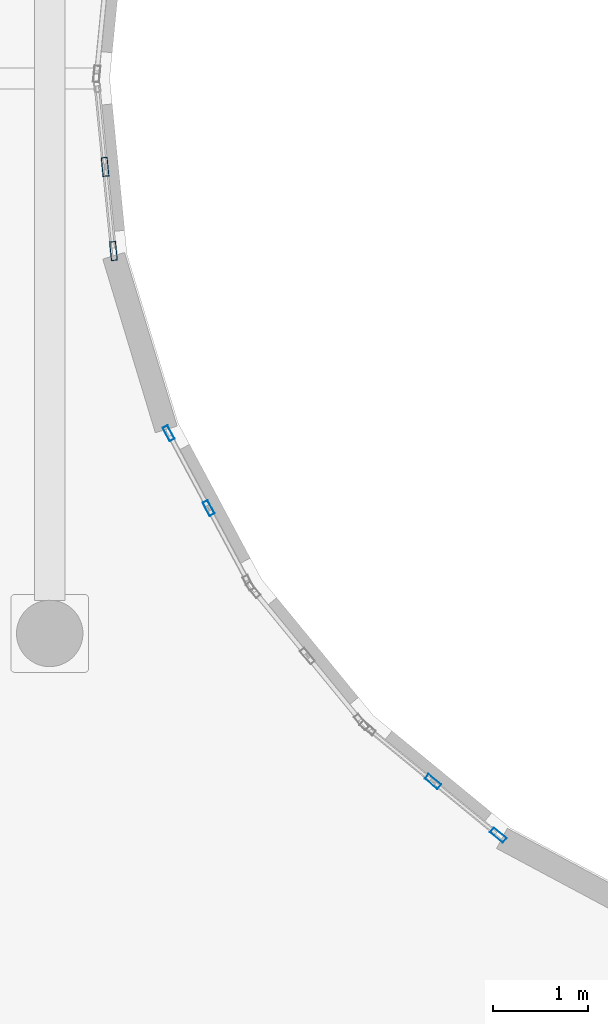
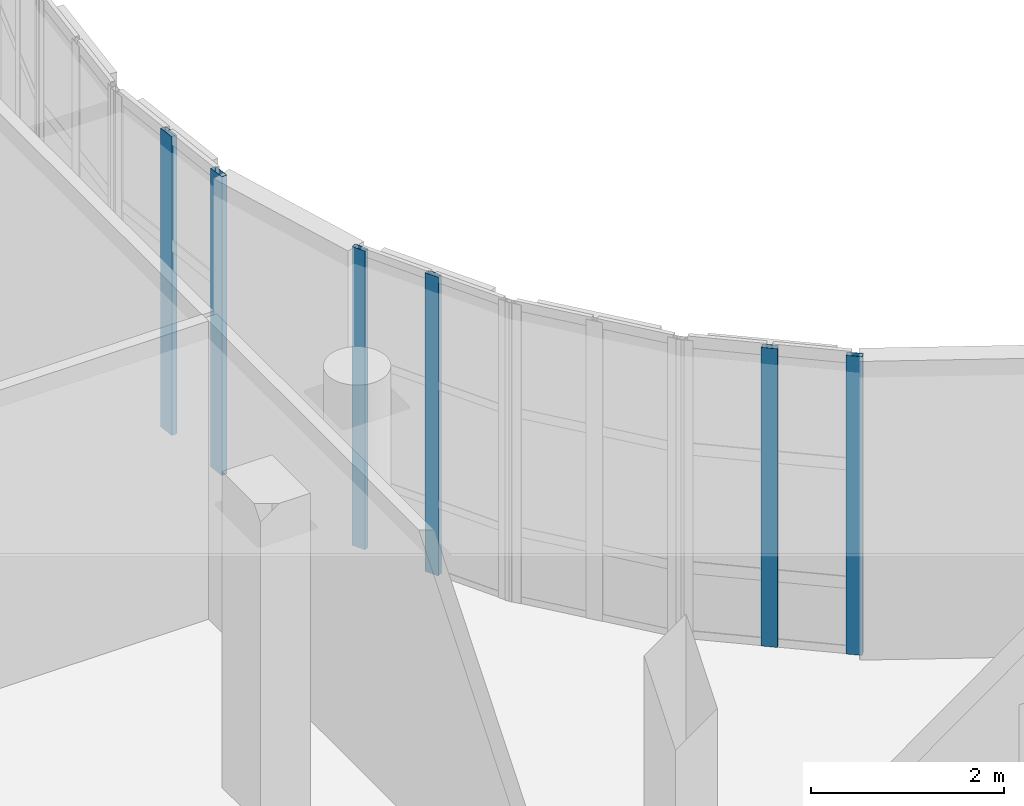
# One storey, part 34 of 105: 6 members, 3 elements without a shape of their own.
"""IFC4 building model written with IfcOpenShell, lengths in metres."""

from ifc_helpers import new_model, si_unit, direction, frame, origin, origin_2d, place, context, subcontext, project, spatial, hollow_rectangle, extrude, material, layer, layer_set, material_profile, profile_set, type_object, element, aggregate, save


model = new_model("IFC4")

# Units and contexts
model_context = context("Model", 3, precision=1e-05, world=origin(), true_north=direction((0.0, 1.0)))
body_context = subcontext(model_context, "Body", "Model", "MODEL_VIEW")
ifc_project = project(units=[si_unit("LENGTHUNIT", "METRE"), si_unit("AREAUNIT", "SQUARE_METRE"), si_unit("VOLUMEUNIT", "CUBIC_METRE"), si_unit("PLANEANGLEUNIT", "RADIAN"), si_unit("MASSUNIT", "GRAM", prefix="KILO")], contexts=[model_context])

# Site, building, storey
site_placement = place(None, origin())
site = spatial("IfcSite", under=ifc_project, at=site_placement, CompositionType="ELEMENT")
building_placement = place(site_placement, origin())
building = spatial("IfcBuilding", under=site, at=building_placement, Name="Kelanivale Promenade Academy", CompositionType="ELEMENT")
storey_placement = place(building_placement, frame((0.0, 0.0, 4.199951171875)))
storey = spatial("IfcBuildingStorey", under=building, at=storey_placement, Name="L01", CompositionType="ELEMENT", Elevation=4.199951171875)

# Curtain wall, members
ifc_material_1 = material(Name="Bronze anodised aluminium and solar-control low-E glass", Category="aluminium")
ifc_layer_1 = layer(ifc_material_1, 0.179931640625)
ifc_layer_set_1 = layer_set([ifc_layer_1], Name="Bronze anodised aluminium and solar-control low-E glass")
curtain_wall_type_1 = type_object("IfcCurtainWallType", Name="CW-17 Curtain Wall 1950mm Module", PredefinedType="USERDEFINED", material=ifc_layer_set_1)
curtain_wall_1_placement = place(storey_placement, origin())
curtain_wall_1 = element("IfcCurtainWall", 1, at=curtain_wall_1_placement, inside=storey, type_object=curtain_wall_type_1, Name="L01 courtyard curtain wall CW-17", ObjectType="COURTYARD SCREEN GLAZING", PredefinedType="USERDEFINED")
ifc_material_2 = material(Name="Bronze anodised aluminium EN AW-6063 T6", Category="aluminium")
ifc_material_profile_1 = material_profile(ifc_material_2, hollow_rectangle(XDim=0.06005859375, YDim=0.159912109375, WallThickness=0.00390625, at=origin_2d()), Name="ALU 60x160x4.0")
ifc_profile_set_1 = profile_set([ifc_material_profile_1], Name="Bronze anodised aluminium EN AW-6063 T6")
member_type_1 = type_object("IfcMemberType", Name="CWM-01 ALU 60x160x4.0", PredefinedType="MULLION", material=ifc_profile_set_1)
member_1_placement = place(storey_placement, frame((89.921142578125, 53.0595703125, 0.0), z_axis=(0.0, 0.0, 1.0), x_axis=(0.881978204448, 0.471290193914, 0.0)))
member_1 = element("IfcMember", 2, at=member_1_placement, type_object=member_type_1, Name="CW-17 mullion 1", PredefinedType="MULLION", context=body_context, shape_type="SweptSolid", body=[
    extrude(hollow_rectangle(XDim=0.06005859375, YDim=0.159912109375, WallThickness=0.00390625, at=origin_2d()), origin(), (0.0, 0.0, 1.0), 3.780029296875),
])
member_2_placement = place(storey_placement, frame((90.342529296875, 52.27099609375, 0.0), z_axis=(0.0, 0.0, 1.0), x_axis=(0.881978204448, 0.471290193914, 0.0)))
member_2 = element("IfcMember", 3, at=member_2_placement, type_object=member_type_1, Name="CW-17 mullion 2", PredefinedType="MULLION", context=body_context, shape_type="SweptSolid", body=[
    extrude(hollow_rectangle(XDim=0.06005859375, YDim=0.159912109375, WallThickness=0.00390625, at=origin_2d()), origin(), (0.0, 0.0, 1.0), 3.780029296875),
])
aggregate(curtain_wall_1, [member_1, member_2])

ifc_layer_2 = layer(ifc_material_1, 0.169921875)
ifc_layer_set_2 = layer_set([ifc_layer_2], Name="Bronze anodised aluminium and solar-control low-E glass")
curtain_wall_type_2 = type_object("IfcCurtainWallType", Name="CW-19 Curtain Wall 1350mm Module", PredefinedType="USERDEFINED", material=ifc_layer_set_2)
curtain_wall_2_placement = place(storey_placement, origin())
curtain_wall_2 = element("IfcCurtainWall", 4, at=curtain_wall_2_placement, inside=storey, type_object=curtain_wall_type_2, Name="L01 courtyard curtain wall CW-19", ObjectType="COURTYARD SCREEN GLAZING", PredefinedType="USERDEFINED")
ifc_material_profile_2 = material_profile(ifc_material_2, hollow_rectangle(XDim=0.06494140625, YDim=0.175048828125, WallThickness=0.00390625, at=origin_2d()), Name="ALU 65x175x4.0")
ifc_profile_set_2 = profile_set([ifc_material_profile_2], Name="Bronze anodised aluminium EN AW-6063 T6")
member_type_2 = type_object("IfcMemberType", Name="CWM-03 ALU 65x175x4.0", PredefinedType="MULLION", material=ifc_profile_set_2)
member_3_placement = place(storey_placement, frame((92.70703125, 49.388427734375, 0.0), z_axis=(0.0, 0.0, 1.0), x_axis=(0.634092539482, 0.773257170269, 0.0)))
member_3 = element("IfcMember", 5, at=member_3_placement, type_object=member_type_2, Name="CW-19 mullion 2", PredefinedType="MULLION", context=body_context, shape_type="SweptSolid", body=[
    extrude(hollow_rectangle(XDim=0.06494140625, YDim=0.175048828125, WallThickness=0.00390625, at=origin_2d()), origin(), (0.0, 0.0, 1.0), 3.780029296875),
])
member_4_placement = place(storey_placement, frame((93.395751953125, 48.823486328125, 0.0), z_axis=(0.0, 0.0, 1.0), x_axis=(0.634092539482, 0.773257170269, 0.0)))
member_4 = element("IfcMember", 6, at=member_4_placement, type_object=member_type_2, Name="CW-19 mullion 3", PredefinedType="MULLION", context=body_context, shape_type="SweptSolid", body=[
    extrude(hollow_rectangle(XDim=0.06494140625, YDim=0.175048828125, WallThickness=0.00390625, at=origin_2d()), origin(), (0.0, 0.0, 1.0), 3.780029296875),
])
aggregate(curtain_wall_2, [member_3, member_4])

ifc_layer_3 = layer(ifc_material_1, 0.169921875)
ifc_layer_set_3 = layer_set([ifc_layer_3], Name="Bronze anodised aluminium and solar-control low-E glass")
curtain_wall_type_3 = type_object("IfcCurtainWallType", Name="CW-16 Curtain Wall 1800mm Module", PredefinedType="USERDEFINED", material=ifc_layer_set_3)
curtain_wall_3_placement = place(storey_placement, origin())
curtain_wall_3 = element("IfcCurtainWall", 7, at=curtain_wall_3_placement, inside=storey, type_object=curtain_wall_type_3, Name="L01 courtyard curtain wall CW-16", ObjectType="COURTYARD SCREEN GLAZING", PredefinedType="USERDEFINED")
ifc_material_profile_3 = material_profile(ifc_material_2, hollow_rectangle(XDim=0.06494140625, YDim=0.199951171875, WallThickness=0.00439453125, at=origin_2d()), Name="ALU 65x200x4.5")
ifc_profile_set_3 = profile_set([ifc_material_profile_3], Name="Bronze anodised aluminium EN AW-6063 T6")
member_type_3 = type_object("IfcMemberType", Name="CWM-04 ALU 65x200x4.5", PredefinedType="MULLION", material=ifc_profile_set_3)
member_5_placement = place(storey_placement, frame((89.251953125, 55.866943359375, 0.0), z_axis=(0.0, 0.0, 1.0), x_axis=(0.99513321337, 0.098538762159, 0.0)))
member_5 = element("IfcMember", 8, at=member_5_placement, type_object=member_type_3, Name="CW-16 mullion 2", PredefinedType="MULLION", context=body_context, shape_type="SweptSolid", body=[
    extrude(hollow_rectangle(XDim=0.06494140625, YDim=0.199951171875, WallThickness=0.00439453125, at=origin_2d()), origin(), (0.0, 0.0, 1.0), 3.780029296875),
])
member_6_placement = place(storey_placement, frame((89.33984375, 54.980224609375, 0.0), z_axis=(0.0, 0.0, 1.0), x_axis=(0.99513321337, 0.098538762159, 0.0)))
member_6 = element("IfcMember", 9, at=member_6_placement, type_object=member_type_3, Name="CW-16 mullion 3", PredefinedType="MULLION", context=body_context, shape_type="SweptSolid", body=[
    extrude(hollow_rectangle(XDim=0.06494140625, YDim=0.199951171875, WallThickness=0.00439453125, at=origin_2d()), origin(), (0.0, 0.0, 1.0), 3.780029296875),
])
aggregate(curtain_wall_3, [member_5, member_6])

save(model, "model.ifc")
